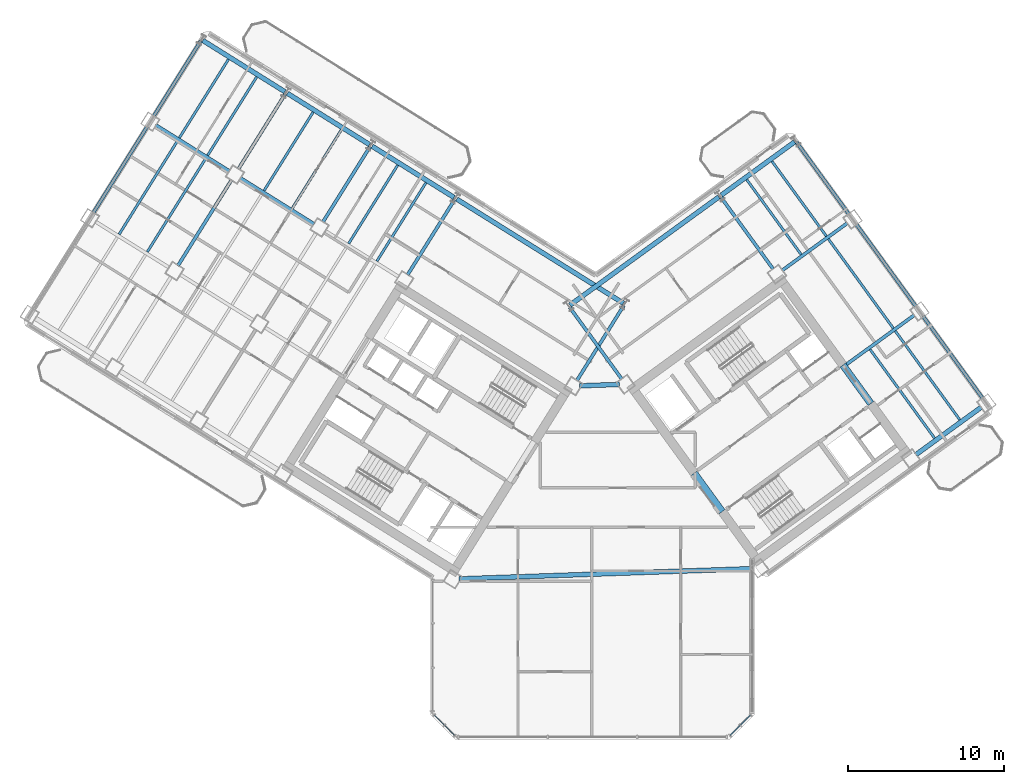
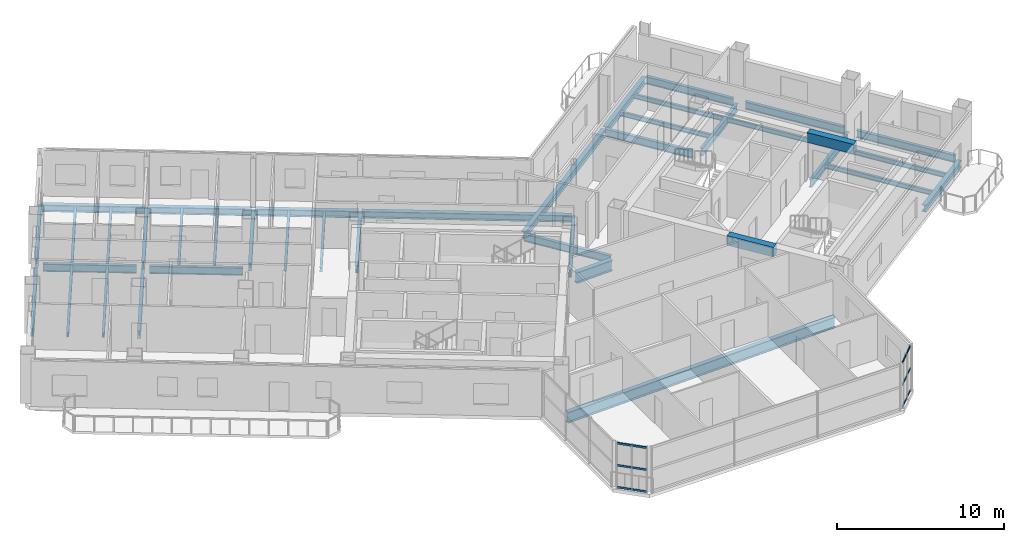
# One storey, part 7 of 21: 40 beams, 12 members, 2 elements without a shape of their own.
"""IFC4 building model written with IfcOpenShell, lengths in metres."""

from ifc_helpers import new_model, si_unit, direction, frame, origin, origin_2d, place, context, subcontext, project, spatial, rectangle, hollow_rectangle, i_section, extrude, source, transform, mapped, material, material_profile, profile_set, type_object, element, aggregate, save


model = new_model("IFC4")

# Units and contexts
model_context = context("Model", 3, precision=1e-05, world=origin(), true_north=direction((0.0, 1.0)))
body_context = subcontext(model_context, "Body", "Model", "MODEL_VIEW")
ifc_project = project(units=[si_unit("LENGTHUNIT", "METRE"), si_unit("AREAUNIT", "SQUARE_METRE"), si_unit("VOLUMEUNIT", "CUBIC_METRE"), si_unit("PLANEANGLEUNIT", "RADIAN"), si_unit("MASSUNIT", "GRAM", prefix="KILO")], contexts=[model_context])

# Site, building, storey
site_placement = place(None, origin())
site = spatial("IfcSite", under=ifc_project, at=site_placement, CompositionType="ELEMENT")
building_placement = place(site_placement, origin())
building = spatial("IfcBuilding", under=site, at=building_placement, Name="Tlacorven Tower", CompositionType="ELEMENT")
storey_placement = place(building_placement, frame((0.0, 0.0, 119.699951171875)))
storey = spatial("IfcBuildingStorey", under=building, at=storey_placement, Name="L30", CompositionType="ELEMENT", Elevation=119.699951171875)

# Beams
ifc_material_1 = material(Name="Concrete C60/75", Category="concrete")
ifc_material_profile_1 = material_profile(ifc_material_1, rectangle(XDim=0.449951171875, YDim=0.699951171875, at=origin_2d()), Name="RC 450X700")
ifc_profile_set_1 = profile_set([ifc_material_profile_1], Name="Concrete C60/75")
beam_type_1 = type_object("IfcBeamType", Name="BM-LNT-700", PredefinedType="LINTEL", material=ifc_profile_set_1)
shared_shape_1 = source(origin(), body_context, "Body", "SweptSolid", [
    extrude(rectangle(XDim=0.449951171875, YDim=0.699951171875, at=origin_2d()), origin(), (0.0, 0.0, 1.0), 3.050048828125),
])
for number, where, z_axis, x_axis, name in (
    (1, (50.318359375, 16.416015625, 3.0), (-0.587776590479, 0.80902328748, 0.0), (-0.80902328748, -0.587776590479, 0.0), "L30 E core coupling lintel beam E1"),
    (2, (59.856689453125, 23.345947265625, 3.0), (-0.587776590479, 0.80902328748, 0.0), (-0.80902328748, -0.587776590479, 0.0), "L30 E core coupling lintel beam E2"),
):
    element("IfcBeam", number, at=place(storey_placement, frame(where, z_axis=z_axis, x_axis=x_axis)), inside=storey, type_object=beam_type_1, Name=name, PredefinedType="LINTEL", context=body_context, shape_type="MappedRepresentation", body=[
        mapped(shared_shape_1, transform((0.0, 0.0, 0.0), scale=1.0)),
    ])
ifc_material_2 = material(Name="Steel S355J2", Category="steel")
ifc_material_profile_2 = material_profile(ifc_material_2, i_section(OverallWidth=0.300048828125, OverallDepth=0.489990234375, WebThickness=0.011962890625, FlangeThickness=0.02294921875, at=origin_2d()), Name="HEA 500")
ifc_profile_set_2 = profile_set([ifc_material_profile_2], Name="Steel S355J2")
beam_type_2 = type_object("IfcBeamType", Name="BM-SPN-500", PredefinedType="SPANDREL", material=ifc_profile_set_2)
shared_shape_2 = source(origin(), body_context, "Body", "SweptSolid", [
    extrude(i_section(OverallWidth=0.300048828125, OverallDepth=0.489990234375, WebThickness=0.011962890625, FlangeThickness=0.02294921875, at=origin_2d()), origin(), (0.0, 0.0, 1.0), 12.599853515625),
])
beam_1_placement = place(storey_placement, frame((43.983642578125, 29.779296875, -0.494873046875), z_axis=(-0.848045108756, 0.529924045043, 0.0), x_axis=(-0.529924045043, -0.848045108756, 0.0)))
element("IfcBeam", 3, at=beam_1_placement, inside=storey, type_object=beam_type_2, Name="L30 beam BM-L30-WL1-1", PredefinedType="SPANDREL", context=body_context, shape_type="MappedRepresentation", body=[
    mapped(shared_shape_2, transform((0.0, 0.0, 0.0), scale=1.0)),
])
shared_shape_3 = source(origin(), body_context, "Body", "SweptSolid", [
    extrude(i_section(OverallWidth=0.300048828125, OverallDepth=0.489990234375, WebThickness=0.011962890625, FlangeThickness=0.02294921875, at=origin_2d()), origin(), (0.0, 0.0, 1.0), 6.199951171875),
])
beam_2_placement = place(storey_placement, frame((33.128662109375, 36.562255859375, -0.494873046875), z_axis=(-0.848051394107, 0.529913986372, 0.0), x_axis=(-0.529913986372, -0.848051394107, 0.0)))
element("IfcBeam", 4, at=beam_2_placement, inside=storey, type_object=beam_type_2, Name="L30 beam BM-L30-WL1-3", PredefinedType="SPANDREL", context=body_context, shape_type="MappedRepresentation", body=[
    mapped(shared_shape_3, transform((0.0, 0.0, 0.0), scale=1.0)),
])
shared_shape_4 = source(origin(), body_context, "Body", "SweptSolid", [
    extrude(i_section(OverallWidth=0.300048828125, OverallDepth=0.489990234375, WebThickness=0.011962890625, FlangeThickness=0.02294921875, at=origin_2d()), origin(), (0.0, 0.0, 1.0), 11.800048828125),
])
beam_3_placement = place(storey_placement, frame((40.560302734375, 29.65966796875, -0.494873046875), z_axis=(0.80900977213, 0.587795192732, 0.0), x_axis=(-0.587795192732, 0.80900977213, 0.0)))
element("IfcBeam", 5, at=beam_3_placement, inside=storey, type_object=beam_type_2, Name="L30 beam BM-L30-EL4-1", PredefinedType="SPANDREL", context=body_context, shape_type="MappedRepresentation", body=[
    mapped(shared_shape_4, transform((0.0, 0.0, 0.0), scale=1.0)),
])
shared_shape_5 = source(origin(), body_context, "Body", "SweptSolid", [
    extrude(i_section(OverallWidth=0.300048828125, OverallDepth=0.489990234375, WebThickness=0.011962890625, FlangeThickness=0.02294921875, at=origin_2d()), origin(), (0.0, 0.0, 1.0), 5.800048828125),
])
beam_4_placement = place(storey_placement, frame((50.2685546875, 36.713134765625, -0.494873046875), z_axis=(0.809019944521, 0.587781191743, 0.0), x_axis=(-0.587781191743, 0.809019944521, 0.0)))
element("IfcBeam", 6, at=beam_4_placement, inside=storey, type_object=beam_type_2, Name="L30 beam BM-L30-EL4-3", PredefinedType="SPANDREL", context=body_context, shape_type="MappedRepresentation", body=[
    mapped(shared_shape_5, transform((0.0, 0.0, 0.0), scale=1.0)),
])
shared_shape_6 = source(origin(), body_context, "Body", "SweptSolid", [
    extrude(i_section(OverallWidth=0.300048828125, OverallDepth=0.489990234375, WebThickness=0.011962890625, FlangeThickness=0.02294921875, at=origin_2d()), origin(), (0.0, 0.0, 1.0), 6.2001953125),
])
for number, where, z_axis, x_axis, name in (
    (7, (27.701171875, 39.95361328125, -0.494873046875), (-0.84804475579, 0.5299246099, 0.0), (-0.5299246099, -0.84804475579, 0.0), "L30 beam BM-L30-WL1-4"),
    (8, (22.273681640625, 43.34521484375, -0.494873046875), (-0.848062451332, 0.529896290457, 0.0), (-0.529896290457, -0.848062451332, 0.0), "L30 beam BM-L30-WL1-5"),
):
    element("IfcBeam", number, at=place(storey_placement, frame(where, z_axis=z_axis, x_axis=x_axis)), inside=storey, type_object=beam_type_2, Name=name, PredefinedType="SPANDREL", context=body_context, shape_type="MappedRepresentation", body=[
        mapped(shared_shape_6, transform((0.0, 0.0, 0.0), scale=1.0)),
    ])
ifc_material_profile_3 = material_profile(ifc_material_2, i_section(OverallWidth=0.2099609375, OverallDepth=0.550048828125, WebThickness=0.010986328125, FlangeThickness=0.01708984375, at=origin_2d()), Name="IPE 550")
ifc_profile_set_3 = profile_set([ifc_material_profile_3], Name="Steel S355J2")
beam_type_3 = type_object("IfcBeamType", Name="BM-TWR-550", PredefinedType="BEAM", material=ifc_profile_set_3)
shared_shape_7 = source(origin(), body_context, "Body", "SweptSolid", [
    extrude(i_section(OverallWidth=0.2099609375, OverallDepth=0.550048828125, WebThickness=0.010986328125, FlangeThickness=0.01708984375, at=origin_2d()), origin(), (0.0, 0.0, 1.0), 5.599853515625),
])
for number, where, z_axis, x_axis, name in (
    (9, (24.1611328125, 34.854736328125, -0.52490234375), (-0.848047285686, 0.529920561254, 0.0), (-0.529920561254, -0.848047285686, 0.0), "L30 beam BM-L30-WL2-4"),
    (10, (18.733642578125, 38.246337890625, -0.52490234375), (-0.848047285686, 0.529920561254, 0.0), (-0.529920561254, -0.848047285686, 0.0), "L30 beam BM-L30-WL2-5"),
):
    element("IfcBeam", number, at=place(storey_placement, frame(where, z_axis=z_axis, x_axis=x_axis)), inside=storey, type_object=beam_type_3, Name=name, PredefinedType="BEAM", context=body_context, shape_type="MappedRepresentation", body=[
        mapped(shared_shape_7, transform((0.0, 0.0, 0.0), scale=1.0)),
    ])
shared_shape_8 = source(origin(), body_context, "Body", "SweptSolid", [
    extrude(i_section(OverallWidth=0.2099609375, OverallDepth=0.550048828125, WebThickness=0.010986328125, FlangeThickness=0.01708984375, at=origin_2d()), origin(), (0.0, 0.0, 1.0), 5.7001953125),
])
for number, where, z_axis, x_axis, name in (
    (11, (44.015380859375, 29.6416015625, -0.52490234375), (-0.529906537151, -0.848056048787, 0.0), (0.848056048787, -0.529906537151, 0.0), "L30 beam BM-L30-WT1-1"),
    (12, (33.160400390625, 36.424560546875, -0.52490234375), (-0.529906537151, -0.848056048787, 0.0), (0.848056048787, -0.529906537151, 0.0), "L30 beam BM-L30-WT3-1"),
    (13, (22.305419921875, 43.20751953125, -0.52490234375), (-0.529906537151, -0.848056048787, 0.0), (0.848056048787, -0.529906537151, 0.0), "L30 beam BM-L30-WT5-1"),
):
    element("IfcBeam", number, at=place(storey_placement, frame(where, z_axis=z_axis, x_axis=x_axis)), inside=storey, type_object=beam_type_3, Name=name, PredefinedType="BEAM", context=body_context, shape_type="MappedRepresentation", body=[
        mapped(shared_shape_8, transform((0.0, 0.0, 0.0), scale=1.0)),
    ])
shared_shape_9 = source(origin(), body_context, "Body", "SweptSolid", [
    extrude(i_section(OverallWidth=0.2099609375, OverallDepth=0.550048828125, WebThickness=0.010986328125, FlangeThickness=0.01708984375, at=origin_2d()), origin(), (0.0, 0.0, 1.0), 5.699951171875),
])
for number, where, z_axis, x_axis, name in (
    (14, (27.73291015625, 39.81591796875, -0.52490234375), (-0.529925785607, -0.848044021115, 0.0), (0.848044021115, -0.529925785607, 0.0), "L30 beam BM-L30-WT4-1"),
    (15, (16.8779296875, 46.598876953125, -0.52490234375), (-0.529925785607, -0.848044021115, 0.0), (0.848044021115, -0.529925785607, 0.0), "L30 beam BM-L30-WT6-1"),
    (16, (43.888671875, 24.90869140625, -0.52490234375), (-0.587787066966, 0.809015675935, 0.0), (-0.809015675935, -0.587787066966, 0.0), "L30 beam BM-L30-ET1-2"),
    (17, (53.596923828125, 31.962158203125, -0.52490234375), (-0.587787066966, 0.809015675935, 0.0), (-0.809015675935, -0.587787066966, 0.0), "L30 beam BM-L30-ET3-2"),
    (18, (58.450927734375, 35.48876953125, -0.52490234375), (-0.587787066966, 0.809015675935, 0.0), (-0.809015675935, -0.587787066966, 0.0), "L30 beam BM-L30-ET4-3"),
):
    element("IfcBeam", number, at=place(storey_placement, frame(where, z_axis=z_axis, x_axis=x_axis)), inside=storey, type_object=beam_type_3, Name=name, PredefinedType="BEAM", context=body_context, shape_type="MappedRepresentation", body=[
        mapped(shared_shape_9, transform((0.0, 0.0, 0.0), scale=1.0)),
    ])
shared_shape_10 = source(origin(), body_context, "Body", "SweptSolid", [
    extrude(i_section(OverallWidth=0.2099609375, OverallDepth=0.550048828125, WebThickness=0.010986328125, FlangeThickness=0.01708984375, at=origin_2d()), origin(), (0.0, 0.0, 1.0), 6.5),
])
for number, where, z_axis, x_axis, name in (
    (19, (13.433349609375, 41.086669921875, -0.52490234375), (-0.529894274829, -0.848063710757, 0.0), (0.848063710757, -0.529894274829, 0.0), "L30 beam BM-L30-WT6-2"),
    (20, (67.03271484375, 23.67724609375, -0.52490234375), (-0.587809847215, 0.808999124547, 0.0), (-0.808999124547, -0.587809847215, 0.0), "L30 beam BM-L30-ET4-1"),
    (21, (62.74169921875, 29.5830078125, -0.52490234375), (-0.587785264321, 0.809016985636, 0.0), (-0.809016985636, -0.587785264321, 0.0), "L30 beam BM-L30-ET4-2"),
):
    element("IfcBeam", number, at=place(storey_placement, frame(where, z_axis=z_axis, x_axis=x_axis)), inside=storey, type_object=beam_type_3, Name=name, PredefinedType="BEAM", context=body_context, shape_type="MappedRepresentation", body=[
        mapped(shared_shape_10, transform((0.0, 0.0, 0.0), scale=1.0)),
    ])
shared_shape_11 = source(origin(), body_context, "Body", "SweptSolid", [
    extrude(i_section(OverallWidth=0.2099609375, OverallDepth=0.550048828125, WebThickness=0.010986328125, FlangeThickness=0.01708984375, at=origin_2d()), origin(), (0.0, 0.0, 1.0), 6.499755859375),
])
beam_5_placement = place(storey_placement, frame((18.86083984375, 37.695068359375, -0.52490234375), z_axis=(-0.529911154058, -0.848053163902, 0.0), x_axis=(0.848053163902, -0.529911154058, 0.0)))
element("IfcBeam", 22, at=beam_5_placement, inside=storey, type_object=beam_type_3, Name="L30 beam BM-L30-WT5-2", PredefinedType="BEAM", context=body_context, shape_type="MappedRepresentation", body=[
    mapped(shared_shape_11, transform((0.0, 0.0, 0.0), scale=1.0)),
])
shared_shape_12 = source(origin(), body_context, "Body", "SweptSolid", [
    extrude(i_section(OverallWidth=0.300048828125, OverallDepth=0.489990234375, WebThickness=0.011962890625, FlangeThickness=0.02294921875, at=origin_2d()), origin(), (0.0, 0.0, 1.0), 5.199951171875),
])
beam_6_placement = place(storey_placement, frame((62.7373046875, 20.06201171875, -0.494873046875), z_axis=(0.809018206713, 0.587783583648, 0.0), x_axis=(-0.587783583648, 0.809018206713, 0.0)))
element("IfcBeam", 23, at=beam_6_placement, inside=storey, type_object=beam_type_2, Name="L30 beam BM-L30-EL1-3", PredefinedType="SPANDREL", context=body_context, shape_type="MappedRepresentation", body=[
    mapped(shared_shape_12, transform((0.0, 0.0, 0.0), scale=1.0)),
])
shared_shape_13 = source(origin(), body_context, "Body", "SweptSolid", [
    extrude(i_section(OverallWidth=0.2099609375, OverallDepth=0.550048828125, WebThickness=0.010986328125, FlangeThickness=0.01708984375, at=origin_2d()), origin(), (0.0, 0.0, 1.0), 5.56005859375),
])
beam_7_placement = place(storey_placement, frame((58.155029296875, 25.756103515625, -0.52490234375), z_axis=(0.809028396397, 0.587769558435, 0.0), x_axis=(-0.587769558435, 0.809028396397, 0.0)))
element("IfcBeam", 24, at=beam_7_placement, inside=storey, type_object=beam_type_3, Name="L30 beam BM-L30-EL2-3", PredefinedType="BEAM", context=body_context, shape_type="MappedRepresentation", body=[
    mapped(shared_shape_13, transform((0.0, 0.0, 0.0), scale=1.0)),
])
shared_shape_14 = source(origin(), body_context, "Body", "SweptSolid", [
    extrude(i_section(OverallWidth=0.2099609375, OverallDepth=0.550048828125, WebThickness=0.010986328125, FlangeThickness=0.01708984375, at=origin_2d()), origin(), (0.0, 0.0, 1.0), 5.2001953125),
])
beam_8_placement = place(storey_placement, frame((54.155517578125, 31.87353515625, -0.52490234375), z_axis=(0.80901210161, 0.587791986546, 0.0), x_axis=(-0.587791986546, 0.80901210161, 0.0)))
element("IfcBeam", 25, at=beam_8_placement, inside=storey, type_object=beam_type_3, Name="L30 beam BM-L30-EL3-3", PredefinedType="BEAM", context=body_context, shape_type="MappedRepresentation", body=[
    mapped(shared_shape_14, transform((0.0, 0.0, 0.0), scale=1.0)),
])
ifc_material_profile_4 = material_profile(ifc_material_2, i_section(OverallWidth=0.300048828125, OverallDepth=0.800048828125, WebThickness=0.017578125, FlangeThickness=0.032958984375, at=origin_2d()), Name="HEB 800")
ifc_profile_set_4 = profile_set([ifc_material_profile_4], Name="Steel S355J2")
beam_type_4 = type_object("IfcBeamType", Name="BM-POD-800", PredefinedType="BEAM", material=ifc_profile_set_4)
shared_shape_15 = source(origin(), body_context, "Body", "SweptSolid", [
    extrude(i_section(OverallWidth=0.300048828125, OverallDepth=0.800048828125, WebThickness=0.017578125, FlangeThickness=0.032958984375, at=origin_2d()), origin(), (0.0, 0.0, 1.0), 2.542724609375),
])
beam_9_placement = place(storey_placement, frame((41.1826171875, 24.482421875, -0.64990234375), z_axis=(0.999392467766, 0.034852480142, 0.0), x_axis=(-0.034852480142, 0.999392467766, 0.0)))
element("IfcBeam", 26, at=beam_9_placement, inside=storey, type_object=beam_type_4, Name="L30 Knuckle Link Girder 1", PredefinedType="BEAM", context=body_context, shape_type="MappedRepresentation", body=[
    mapped(shared_shape_15, transform((0.0, 0.0, 0.0), scale=1.0)),
])
shared_shape_16 = source(origin(), body_context, "Body", "SweptSolid", [
    extrude(i_section(OverallWidth=0.300048828125, OverallDepth=0.800048828125, WebThickness=0.017578125, FlangeThickness=0.032958984375, at=origin_2d()), origin(), (0.0, 0.0, 1.0), 18.871337890625),
])
beam_10_placement = place(storey_placement, frame((33.44580078125, 12.100830078125, -0.64990234375), z_axis=(0.999390659804, 0.034904284792, 0.0), x_axis=(-0.034904284792, 0.999390659804, 0.0)))
element("IfcBeam", 27, at=beam_10_placement, inside=storey, type_object=beam_type_4, Name="L30 Knuckle Link Girder 2", PredefinedType="BEAM", context=body_context, shape_type="MappedRepresentation", body=[
    mapped(shared_shape_16, transform((0.0, 0.0, 0.0), scale=1.0)),
])
ifc_material_profile_5 = material_profile(ifc_material_2, i_section(OverallWidth=0.159912109375, OverallDepth=0.330078125, WebThickness=0.007568359375, FlangeThickness=0.011474609375, at=origin_2d()), Name="IPE 330")
ifc_profile_set_5 = profile_set([ifc_material_profile_5], Name="Steel S355J2")
beam_type_5 = type_object("IfcBeamType", Name="BM-JST-330", PredefinedType="JOIST", material=ifc_profile_set_5)
shared_shape_17 = source(origin(), body_context, "Body", "SweptSolid", [
    extrude(i_section(OverallWidth=0.159912109375, OverallDepth=0.330078125, WebThickness=0.007568359375, FlangeThickness=0.011474609375, at=origin_2d()), origin(), (0.0, 0.0, 1.0), 5.93505859375),
])
for number, where, z_axis, x_axis, name in (
    (28, (31.322265625, 37.50830078125, -0.4150390625), (-0.529939778535, -0.848035277053, 0.0), (0.848035277053, -0.529939778535, 0.0), "L30 beam BM-L30-WJ3-1-1"),
    (29, (29.512939453125, 38.638916015625, -0.4150390625), (-0.529910194899, -0.848053763238, 0.0), (0.848053763238, -0.529910194899, 0.0), "L30 beam BM-L30-WJ3-1-2"),
    (30, (24.08544921875, 42.0302734375, -0.4150390625), (-0.529910194899, -0.848053763238, 0.0), (0.848053763238, -0.529910194899, 0.0), "L30 beam BM-L30-WJ4-1-2"),
    (31, (20.467041015625, 44.291259765625, -0.4150390625), (-0.529910194899, -0.848053763238, 0.0), (0.848053763238, -0.529910194899, 0.0), "L30 beam BM-L30-WJ5-1-1"),
    (32, (18.657958984375, 45.421875, -0.4150390625), (-0.529910194899, -0.848053763238, 0.0), (0.848053763238, -0.529910194899, 0.0), "L30 beam BM-L30-WJ5-1-2"),
    (33, (55.38525390625, 32.903076171875, -0.4150390625), (-0.58778762431, 0.809015270998, 0.0), (-0.809015270998, -0.58778762431, 0.0), "L30 beam BM-L30-EJ3-3-1"),
    (34, (57.00341796875, 34.07861328125, -0.4150390625), (-0.58778762431, 0.809015270998, 0.0), (-0.809015270998, -0.58778762431, 0.0), "L30 beam BM-L30-EJ3-3-2"),
):
    element("IfcBeam", number, at=place(storey_placement, frame(where, z_axis=z_axis, x_axis=x_axis)), inside=storey, type_object=beam_type_5, Name=name, PredefinedType="JOIST", context=body_context, shape_type="MappedRepresentation", body=[
        mapped(shared_shape_17, transform((0.0, 0.0, 0.0), scale=1.0)),
    ])
shared_shape_18 = source(origin(), body_context, "Body", "SweptSolid", [
    extrude(i_section(OverallWidth=0.159912109375, OverallDepth=0.330078125, WebThickness=0.007568359375, FlangeThickness=0.011474609375, at=origin_2d()), origin(), (0.0, 0.0, 1.0), 7.080078125),
])
for number, where, z_axis, x_axis, name in (
    (35, (17.20556640625, 39.071533203125, -0.4150390625), (-0.529933847046, -0.848038983629, 0.0), (0.848038983629, -0.529933847046, 0.0), "L30 beam BM-L30-WJ5-2-1"),
    (36, (15.396240234375, 40.2021484375, -0.4150390625), (-0.529893550998, -0.848064163027, 0.0), (0.848064163027, -0.529893550998, 0.0), "L30 beam BM-L30-WJ5-2-2"),
    (37, (61.294189453125, 28.1728515625, -0.4150390625), (-0.587798472288, 0.809007389321, 0.0), (-0.809007389321, -0.587798472288, 0.0), "L30 beam BM-L30-EJ3-2-2"),
):
    element("IfcBeam", number, at=place(storey_placement, frame(where, z_axis=z_axis, x_axis=x_axis)), inside=storey, type_object=beam_type_5, Name=name, PredefinedType="JOIST", context=body_context, shape_type="MappedRepresentation", body=[
        mapped(shared_shape_18, transform((0.0, 0.0, 0.0), scale=1.0)),
    ])
shared_shape_19 = source(origin(), body_context, "Body", "SweptSolid", [
    extrude(i_section(OverallWidth=0.159912109375, OverallDepth=0.330078125, WebThickness=0.007568359375, FlangeThickness=0.011474609375, at=origin_2d()), origin(), (0.0, 0.0, 1.0), 7.03515625),
])
beam_11_placement = place(storey_placement, frame((63.9404296875, 21.127685546875, -0.4150390625), z_axis=(-0.58776512903, 0.809031614399, 0.0), x_axis=(-0.809031614399, -0.58776512903, 0.0)))
element("IfcBeam", 38, at=beam_11_placement, inside=storey, type_object=beam_type_5, Name="L30 beam BM-L30-EJ3-1-1", PredefinedType="JOIST", context=body_context, shape_type="MappedRepresentation", body=[
    mapped(shared_shape_19, transform((0.0, 0.0, 0.0), scale=1.0)),
])
shared_shape_20 = source(origin(), body_context, "Body", "SweptSolid", [
    extrude(i_section(OverallWidth=0.159912109375, OverallDepth=0.330078125, WebThickness=0.007568359375, FlangeThickness=0.011474609375, at=origin_2d()), origin(), (0.0, 0.0, 1.0), 5.934814453125),
])
beam_12_placement = place(storey_placement, frame((25.894775390625, 40.899658203125, -0.4150390625), z_axis=(-0.529958265352, -0.848023724306, 0.0), x_axis=(0.848023724306, -0.529958265352, 0.0)))
element("IfcBeam", 39, at=beam_12_placement, inside=storey, type_object=beam_type_5, Name="L30 beam BM-L30-WJ4-1-1", PredefinedType="JOIST", context=body_context, shape_type="MappedRepresentation", body=[
    mapped(shared_shape_20, transform((0.0, 0.0, 0.0), scale=1.0)),
])
shared_shape_21 = source(origin(), body_context, "Body", "SweptSolid", [
    extrude(i_section(OverallWidth=0.159912109375, OverallDepth=0.330078125, WebThickness=0.007568359375, FlangeThickness=0.011474609375, at=origin_2d()), origin(), (0.0, 0.0, 1.0), 7.034912109375),
])
beam_13_placement = place(storey_placement, frame((65.55859375, 22.303466796875, -0.4150390625), z_axis=(-0.587781631373, 0.809019625115, 0.0), x_axis=(-0.809019625115, -0.587781631373, 0.0)))
element("IfcBeam", 40, at=beam_13_placement, inside=storey, type_object=beam_type_5, Name="L30 beam BM-L30-EJ3-1-2", PredefinedType="JOIST", context=body_context, shape_type="MappedRepresentation", body=[
    mapped(shared_shape_21, transform((0.0, 0.0, 0.0), scale=1.0)),
])

# Curtain wall, members
ifc_material_3 = material(Name="Dark solar low-E double glazing in aluminium frame", Category="aluminium")
curtain_wall_type = type_object("IfcCurtainWallType", Name="CW-TWR-MID", PredefinedType="USERDEFINED", material=ifc_material_3)
curtain_wall_1_placement = place(storey_placement, origin())
curtain_wall_1 = element("IfcCurtainWall", 41, at=curtain_wall_1_placement, inside=storey, type_object=curtain_wall_type, Name="L30 CW-TWR-MID Curtain Wall 147", ObjectType="UNITISED CURTAIN WALL", PredefinedType="USERDEFINED")
ifc_material_4 = material(Name="Aluminium 6063-T6 anodised", Category="aluminium")
ifc_material_profile_6 = material_profile(ifc_material_4, hollow_rectangle(XDim=0.06005859375, YDim=0.139892578125, WallThickness=0.00390625, at=origin_2d()), Name="ALU TRANSOM 60X140")
ifc_profile_set_6 = profile_set([ifc_material_profile_6], Name="Aluminium 6063-T6 anodised")
member_type = type_object("IfcMemberType", Name="CWT-02", PredefinedType="USERDEFINED", material=ifc_profile_set_6)
shared_shape_22 = source(origin(), body_context, "Body", "SweptSolid", [
    extrude(hollow_rectangle(XDim=0.06005859375, YDim=0.139892578125, WallThickness=0.00390625, at=origin_2d()), origin(), (0.0, 0.0, 1.0), 0.8916015625),
])
member_1_placement = place(storey_placement, frame((52.1318359375, 3.358154296875, 0.070068359375), z_axis=(-0.706969864397, -0.70724367147, 0.0), x_axis=(0.70724367147, -0.706969864397, 0.0)))
member_1 = element("IfcMember", 42, at=member_1_placement, type_object=member_type, Name="CW-L30-147 Transom 1", ObjectType="TRANSOM", PredefinedType="USERDEFINED", context=body_context, shape_type="MappedRepresentation", body=[
    mapped(shared_shape_22, transform((0.0, 0.0, 0.0), scale=1.0)),
])
member_2_placement = place(storey_placement, frame((52.1318359375, 3.358154296875, 1.675048828125), z_axis=(-0.706969864397, -0.70724367147, 0.0), x_axis=(0.70724367147, -0.706969864397, 0.0)))
member_2 = element("IfcMember", 43, at=member_2_placement, type_object=member_type, Name="CW-L30-147 Transom 2", ObjectType="TRANSOM", PredefinedType="USERDEFINED", context=body_context, shape_type="MappedRepresentation", body=[
    mapped(shared_shape_22, transform((0.0, 0.0, 0.0), scale=1.0)),
])
member_3_placement = place(storey_placement, frame((52.1318359375, 3.358154296875, 3.280029296875), z_axis=(-0.706969864397, -0.70724367147, 0.0), x_axis=(0.70724367147, -0.706969864397, 0.0)))
member_3 = element("IfcMember", 44, at=member_3_placement, type_object=member_type, Name="CW-L30-147 Transom 3", ObjectType="TRANSOM", PredefinedType="USERDEFINED", context=body_context, shape_type="MappedRepresentation", body=[
    mapped(shared_shape_22, transform((0.0, 0.0, 0.0), scale=1.0)),
])

curtain_wall_2_placement = place(storey_placement, origin())
curtain_wall_2 = element("IfcCurtainWall", 45, at=curtain_wall_2_placement, inside=storey, type_object=curtain_wall_type, Name="L30 CW-TWR-MID Curtain Wall 149", ObjectType="UNITISED CURTAIN WALL", PredefinedType="USERDEFINED")
member_4_placement = place(storey_placement, frame((32.49853515625, 2.7275390625, 0.070068359375), z_axis=(-0.706969864397, 0.70724367147, 0.0), x_axis=(-0.70724367147, -0.706969864397, 0.0)))
member_4 = element("IfcMember", 46, at=member_4_placement, type_object=member_type, Name="CW-L30-149 Transom 4", ObjectType="TRANSOM", PredefinedType="USERDEFINED", context=body_context, shape_type="MappedRepresentation", body=[
    mapped(shared_shape_22, transform((0.0, 0.0, 0.0), scale=1.0)),
])
member_5_placement = place(storey_placement, frame((32.49853515625, 2.7275390625, 1.675048828125), z_axis=(-0.706969864397, 0.70724367147, 0.0), x_axis=(-0.70724367147, -0.706969864397, 0.0)))
member_5 = element("IfcMember", 47, at=member_5_placement, type_object=member_type, Name="CW-L30-149 Transom 5", ObjectType="TRANSOM", PredefinedType="USERDEFINED", context=body_context, shape_type="MappedRepresentation", body=[
    mapped(shared_shape_22, transform((0.0, 0.0, 0.0), scale=1.0)),
])
member_6_placement = place(storey_placement, frame((32.49853515625, 2.7275390625, 3.280029296875), z_axis=(-0.706969864397, 0.70724367147, 0.0), x_axis=(-0.70724367147, -0.706969864397, 0.0)))
member_6 = element("IfcMember", 48, at=member_6_placement, type_object=member_type, Name="CW-L30-149 Transom 6", ObjectType="TRANSOM", PredefinedType="USERDEFINED", context=body_context, shape_type="MappedRepresentation", body=[
    mapped(shared_shape_22, transform((0.0, 0.0, 0.0), scale=1.0)),
])

# Member
shared_shape_23 = source(origin(), body_context, "Body", "SweptSolid", [
    extrude(hollow_rectangle(XDim=0.06005859375, YDim=0.139892578125, WallThickness=0.00390625, at=origin_2d()), origin(), (0.0, 0.0, 1.0), 0.891845703125),
])
member_7_placement = place(storey_placement, frame((51.472412109375, 2.69873046875, 0.070068359375), z_axis=(-0.707106781187, -0.707106781187, 0.0), x_axis=(0.707106781187, -0.707106781187, 0.0)))
member_7 = element("IfcMember", 49, at=member_7_placement, type_object=member_type, Name="CW-L30-147 Transom 4", ObjectType="TRANSOM", PredefinedType="USERDEFINED", context=body_context, shape_type="MappedRepresentation", body=[
    mapped(shared_shape_23, transform((0.0, 0.0, 0.0), scale=1.0)),
])

member_8_placement = place(storey_placement, frame((51.472412109375, 2.69873046875, 1.675048828125), z_axis=(-0.707106781187, -0.707106781187, 0.0), x_axis=(0.707106781187, -0.707106781187, 0.0)))
member_8 = element("IfcMember", 50, at=member_8_placement, type_object=member_type, Name="CW-L30-147 Transom 5", ObjectType="TRANSOM", PredefinedType="USERDEFINED", context=body_context, shape_type="MappedRepresentation", body=[
    mapped(shared_shape_23, transform((0.0, 0.0, 0.0), scale=1.0)),
])

member_9_placement = place(storey_placement, frame((51.472412109375, 2.69873046875, 3.280029296875), z_axis=(-0.707106781187, -0.707106781187, 0.0), x_axis=(0.707106781187, -0.707106781187, 0.0)))
member_9 = element("IfcMember", 51, at=member_9_placement, type_object=member_type, Name="CW-L30-147 Transom 6", ObjectType="TRANSOM", PredefinedType="USERDEFINED", context=body_context, shape_type="MappedRepresentation", body=[
    mapped(shared_shape_23, transform((0.0, 0.0, 0.0), scale=1.0)),
])

aggregate(curtain_wall_1, [member_1, member_2, member_3, member_7, member_8, member_9])

member_10_placement = place(storey_placement, frame((33.158203125, 2.068115234375, 0.070068359375), z_axis=(-0.707106781187, 0.707106781187, 0.0), x_axis=(-0.707106781187, -0.707106781187, 0.0)))
member_10 = element("IfcMember", 52, at=member_10_placement, type_object=member_type, Name="CW-L30-149 Transom 1", ObjectType="TRANSOM", PredefinedType="USERDEFINED", context=body_context, shape_type="MappedRepresentation", body=[
    mapped(shared_shape_23, transform((0.0, 0.0, 0.0), scale=1.0)),
])

member_11_placement = place(storey_placement, frame((33.158203125, 2.068115234375, 1.675048828125), z_axis=(-0.707106781187, 0.707106781187, 0.0), x_axis=(-0.707106781187, -0.707106781187, 0.0)))
member_11 = element("IfcMember", 53, at=member_11_placement, type_object=member_type, Name="CW-L30-149 Transom 2", ObjectType="TRANSOM", PredefinedType="USERDEFINED", context=body_context, shape_type="MappedRepresentation", body=[
    mapped(shared_shape_23, transform((0.0, 0.0, 0.0), scale=1.0)),
])

member_12_placement = place(storey_placement, frame((33.158203125, 2.068115234375, 3.280029296875), z_axis=(-0.707106781187, 0.707106781187, 0.0), x_axis=(-0.707106781187, -0.707106781187, 0.0)))
member_12 = element("IfcMember", 54, at=member_12_placement, type_object=member_type, Name="CW-L30-149 Transom 3", ObjectType="TRANSOM", PredefinedType="USERDEFINED", context=body_context, shape_type="MappedRepresentation", body=[
    mapped(shared_shape_23, transform((0.0, 0.0, 0.0), scale=1.0)),
])

aggregate(curtain_wall_2, [member_10, member_11, member_12, member_4, member_5, member_6])

save(model, "model.ifc")
